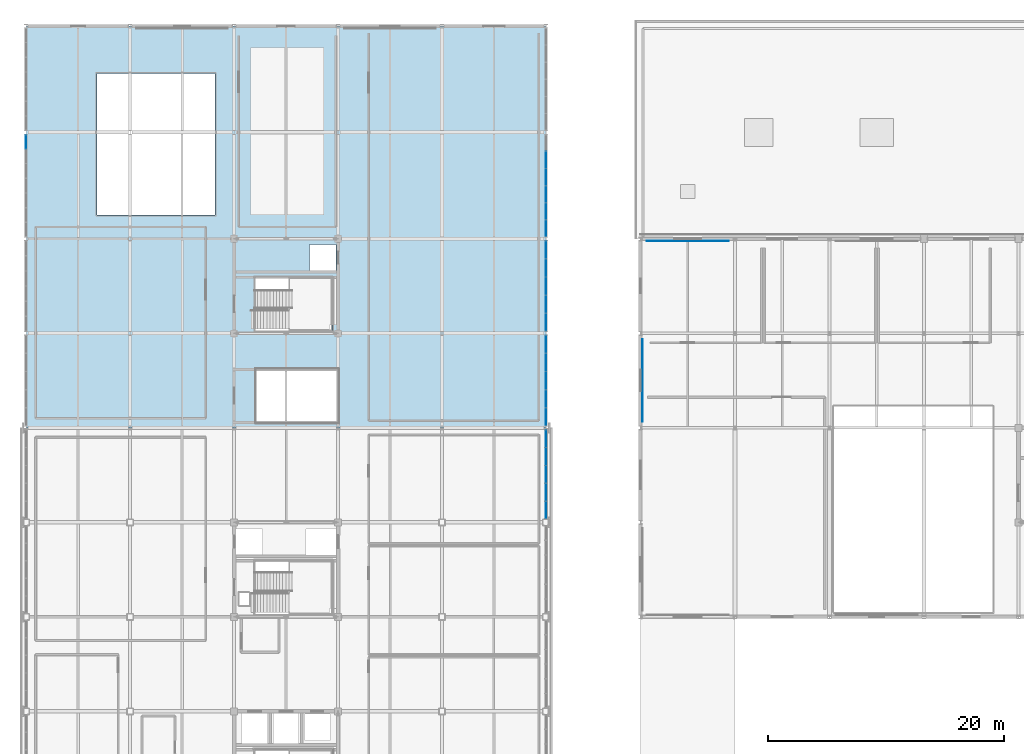
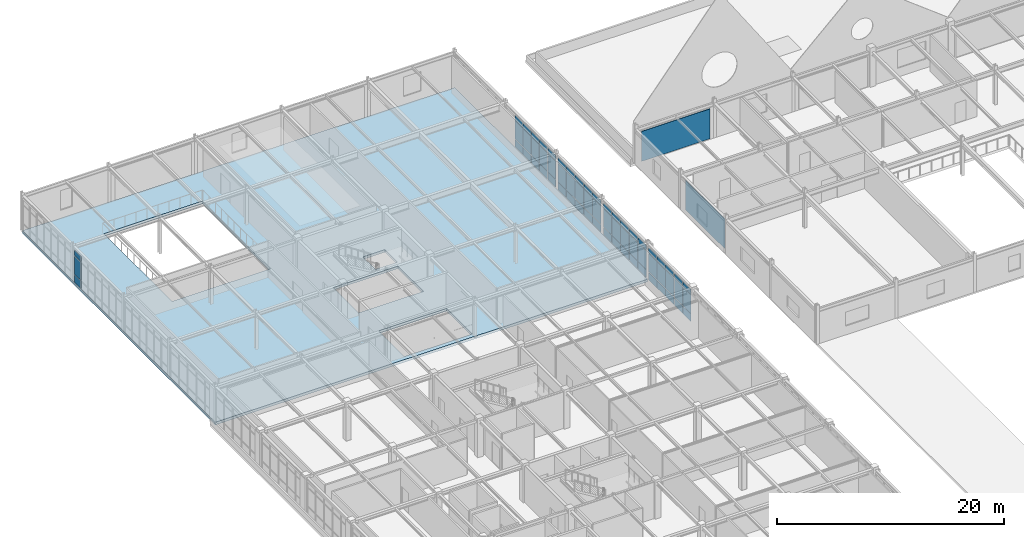
# One storey, part 44 of 88: 65 plates, 1 slab, 5 elements without a shape of their own.
"""IFC4 building model written with IfcOpenShell, lengths in metres."""

from ifc_helpers import new_model, si_unit, direction, frame, origin, origin_2d, place, context, subcontext, project, spatial, polyline, rectangle, outline, extrude, material, layer, layer_set, type_object, element, aggregate, save


model = new_model("IFC4")

# Units and contexts
model_context = context("Model", 3, precision=1e-05, world=origin(), true_north=direction((0.0, 1.0)))
body_context = subcontext(model_context, "Body", "Model", "MODEL_VIEW")
ifc_project = project(units=[si_unit("LENGTHUNIT", "METRE"), si_unit("AREAUNIT", "SQUARE_METRE"), si_unit("VOLUMEUNIT", "CUBIC_METRE"), si_unit("PLANEANGLEUNIT", "RADIAN"), si_unit("MASSUNIT", "GRAM", prefix="KILO")], contexts=[model_context])

# Site, building, storey
site_placement = place(None, origin())
site = spatial("IfcSite", under=ifc_project, at=site_placement, CompositionType="ELEMENT")
building_placement = place(site_placement, origin())
building = spatial("IfcBuilding", under=site, at=building_placement, Name="Zhaolan Boulevard Law Courts", CompositionType="ELEMENT")
storey_placement = place(building_placement, frame((0.0, 0.0, 16.199951171875)))
storey = spatial("IfcBuildingStorey", under=building, at=storey_placement, Name="L03", CompositionType="ELEMENT", Elevation=16.199951171875)

# Curtain wall, plates
ifc_material_1 = material(Name="Thermally broken aluminium and low-E glazing", Category="aluminium")
curtain_wall_type_1 = type_object("IfcCurtainWallType", Name="CURTAIN WALL M5", PredefinedType="USERDEFINED", material=ifc_material_1)
curtain_wall_1_placement = place(storey_placement, origin())
curtain_wall_1 = element("IfcCurtainWall", 1, at=curtain_wall_1_placement, inside=storey, type_object=curtain_wall_type_1, Name="Curtain Wall CW-L03-125", ObjectType="CURTAIN WALL", PredefinedType="USERDEFINED")
ifc_material_2 = material(Name="Triple-silver low-E insulated glazing", Category="glass")
ifc_layer_1 = layer(ifc_material_2, 0.028076171875)
ifc_layer_set_1 = layer_set([ifc_layer_1])
plate_type_1 = type_object("IfcPlateType", Name="CWPANEL LOW E28", PredefinedType="CURTAIN_PANEL", material=ifc_layer_set_1)
plate_1_placement = place(storey_placement, frame((0.0, 102.210693359375, 0.06494140625), z_axis=(0.0, 0.0, 1.0), x_axis=(0.0, -1.0, 0.0)))
plate_1 = element("IfcPlate", 2, at=plate_1_placement, type_object=plate_type_1, Name="CW-L03-125 panel 1.1", PredefinedType="CURTAIN_PANEL", context=body_context, shape_type="SweptSolid", body=[
    extrude(rectangle(XDim=1.144775390625, YDim=0.028076171875, at=origin_2d()), origin(), (0.0, 0.0, 1.0), 0.802490234375),
])
plate_2_placement = place(storey_placement, frame((0.0, 102.210693359375, 0.9326171875), z_axis=(0.0, 0.0, 1.0), x_axis=(0.0, -1.0, 0.0)))
plate_2 = element("IfcPlate", 3, at=plate_2_placement, type_object=plate_type_1, Name="CW-L03-125 panel 1.2", PredefinedType="CURTAIN_PANEL", context=body_context, shape_type="SweptSolid", body=[
    extrude(rectangle(XDim=1.144775390625, YDim=0.028076171875, at=origin_2d()), origin(), (0.0, 0.0, 1.0), 1.947998046875),
])
plate_3_placement = place(storey_placement, frame((0.0, 102.210693359375, 2.9453125), z_axis=(0.0, 0.0, 1.0), x_axis=(0.0, -1.0, 0.0)))
plate_3 = element("IfcPlate", 4, at=plate_3_placement, type_object=plate_type_1, Name="CW-L03-125 panel 1.3", PredefinedType="CURTAIN_PANEL", context=body_context, shape_type="SweptSolid", body=[
    extrude(rectangle(XDim=1.144775390625, YDim=0.028076171875, at=origin_2d()), origin(), (0.0, 0.0, 1.0), 0.552490234375),
])
aggregate(curtain_wall_1, [plate_1, plate_2, plate_3])

ifc_material_3 = material(Name="Thermally broken aluminium and low-E glazing", Category="aluminium")
curtain_wall_type_2 = type_object("IfcCurtainWallType", Name="CURTAIN WALL M7", PredefinedType="USERDEFINED", material=ifc_material_3)
curtain_wall_2_placement = place(storey_placement, origin())
curtain_wall_2 = element("IfcCurtainWall", 5, at=curtain_wall_2_placement, inside=storey, type_object=curtain_wall_type_2, Name="Curtain Wall CW-L03-127", ObjectType="CURTAIN WALL", PredefinedType="USERDEFINED")
plate_4_placement = place(storey_placement, frame((44.0, 78.937744140625, 0.06494140625), z_axis=(0.0, 0.0, 1.0), x_axis=(0.0, 1.0, 0.0)))
plate_4 = element("IfcPlate", 6, at=plate_4_placement, type_object=plate_type_1, Name="CW-L03-127 panel 1.1", PredefinedType="CURTAIN_PANEL", context=body_context, shape_type="SweptSolid", body=[
    extrude(rectangle(XDim=1.441650390625, YDim=0.028076171875, at=origin_2d()), origin(), (0.0, 0.0, 1.0), 0.802490234375),
])
plate_5_placement = place(storey_placement, frame((44.0, 78.937744140625, 0.9326171875), z_axis=(0.0, 0.0, 1.0), x_axis=(0.0, 1.0, 0.0)))
plate_5 = element("IfcPlate", 7, at=plate_5_placement, type_object=plate_type_1, Name="CW-L03-127 panel 1.2", PredefinedType="CURTAIN_PANEL", context=body_context, shape_type="SweptSolid", body=[
    extrude(rectangle(XDim=1.441650390625, YDim=0.028076171875, at=origin_2d()), origin(), (0.0, 0.0, 1.0), 1.947998046875),
])
plate_6_placement = place(storey_placement, frame((44.0, 78.937744140625, 2.9453125), z_axis=(0.0, 0.0, 1.0), x_axis=(0.0, 1.0, 0.0)))
plate_6 = element("IfcPlate", 8, at=plate_6_placement, type_object=plate_type_1, Name="CW-L03-127 panel 1.3", PredefinedType="CURTAIN_PANEL", context=body_context, shape_type="SweptSolid", body=[
    extrude(rectangle(XDim=1.441650390625, YDim=0.028076171875, at=origin_2d()), origin(), (0.0, 0.0, 1.0), 0.552490234375),
])
plate_7_placement = place(storey_placement, frame((44.0, 80.460693359375, 0.06494140625), z_axis=(0.0, 0.0, 1.0), x_axis=(0.0, 1.0, 0.0)))
plate_7 = element("IfcPlate", 9, at=plate_7_placement, type_object=plate_type_1, Name="CW-L03-127 panel 2.1", PredefinedType="CURTAIN_PANEL", context=body_context, shape_type="SweptSolid", body=[
    extrude(rectangle(XDim=1.47412109375, YDim=0.028076171875, at=origin_2d()), origin(), (0.0, 0.0, 1.0), 0.802490234375),
])
plate_8_placement = place(storey_placement, frame((44.0, 80.460693359375, 0.9326171875), z_axis=(0.0, 0.0, 1.0), x_axis=(0.0, 1.0, 0.0)))
plate_8 = element("IfcPlate", 10, at=plate_8_placement, type_object=plate_type_1, Name="CW-L03-127 panel 2.2", PredefinedType="CURTAIN_PANEL", context=body_context, shape_type="SweptSolid", body=[
    extrude(rectangle(XDim=1.47412109375, YDim=0.028076171875, at=origin_2d()), origin(), (0.0, 0.0, 1.0), 1.947998046875),
])
plate_9_placement = place(storey_placement, frame((44.0, 80.460693359375, 2.9453125), z_axis=(0.0, 0.0, 1.0), x_axis=(0.0, 1.0, 0.0)))
plate_9 = element("IfcPlate", 11, at=plate_9_placement, type_object=plate_type_1, Name="CW-L03-127 panel 2.3", PredefinedType="CURTAIN_PANEL", context=body_context, shape_type="SweptSolid", body=[
    extrude(rectangle(XDim=1.47412109375, YDim=0.028076171875, at=origin_2d()), origin(), (0.0, 0.0, 1.0), 0.552490234375),
])
plate_10_placement = place(storey_placement, frame((44.0, 82.0, 0.06494140625), z_axis=(0.0, 0.0, 1.0), x_axis=(0.0, 1.0, 0.0)))
plate_10 = element("IfcPlate", 12, at=plate_10_placement, type_object=plate_type_1, Name="CW-L03-127 panel 3.1", PredefinedType="CURTAIN_PANEL", context=body_context, shape_type="SweptSolid", body=[
    extrude(rectangle(XDim=1.47412109375, YDim=0.028076171875, at=origin_2d()), origin(), (0.0, 0.0, 1.0), 0.802490234375),
])
plate_11_placement = place(storey_placement, frame((44.0, 82.0, 0.9326171875), z_axis=(0.0, 0.0, 1.0), x_axis=(0.0, 1.0, 0.0)))
plate_11 = element("IfcPlate", 13, at=plate_11_placement, type_object=plate_type_1, Name="CW-L03-127 panel 3.2", PredefinedType="CURTAIN_PANEL", context=body_context, shape_type="SweptSolid", body=[
    extrude(rectangle(XDim=1.47412109375, YDim=0.028076171875, at=origin_2d()), origin(), (0.0, 0.0, 1.0), 1.947998046875),
])
plate_12_placement = place(storey_placement, frame((44.0, 82.0, 2.9453125), z_axis=(0.0, 0.0, 1.0), x_axis=(0.0, 1.0, 0.0)))
plate_12 = element("IfcPlate", 14, at=plate_12_placement, type_object=plate_type_1, Name="CW-L03-127 panel 3.3", PredefinedType="CURTAIN_PANEL", context=body_context, shape_type="SweptSolid", body=[
    extrude(rectangle(XDim=1.47412109375, YDim=0.028076171875, at=origin_2d()), origin(), (0.0, 0.0, 1.0), 0.552490234375),
])
plate_13_placement = place(storey_placement, frame((44.0, 83.539306640625, 0.06494140625), z_axis=(0.0, 0.0, 1.0), x_axis=(0.0, 1.0, 0.0)))
plate_13 = element("IfcPlate", 15, at=plate_13_placement, type_object=plate_type_1, Name="CW-L03-127 panel 4.1", PredefinedType="CURTAIN_PANEL", context=body_context, shape_type="SweptSolid", body=[
    extrude(rectangle(XDim=1.47412109375, YDim=0.028076171875, at=origin_2d()), origin(), (0.0, 0.0, 1.0), 0.802490234375),
])
plate_14_placement = place(storey_placement, frame((44.0, 83.539306640625, 0.9326171875), z_axis=(0.0, 0.0, 1.0), x_axis=(0.0, 1.0, 0.0)))
plate_14 = element("IfcPlate", 16, at=plate_14_placement, type_object=plate_type_1, Name="CW-L03-127 panel 4.2", PredefinedType="CURTAIN_PANEL", context=body_context, shape_type="SweptSolid", body=[
    extrude(rectangle(XDim=1.47412109375, YDim=0.028076171875, at=origin_2d()), origin(), (0.0, 0.0, 1.0), 1.947998046875),
])
plate_15_placement = place(storey_placement, frame((44.0, 83.539306640625, 2.9453125), z_axis=(0.0, 0.0, 1.0), x_axis=(0.0, 1.0, 0.0)))
plate_15 = element("IfcPlate", 17, at=plate_15_placement, type_object=plate_type_1, Name="CW-L03-127 panel 4.3", PredefinedType="CURTAIN_PANEL", context=body_context, shape_type="SweptSolid", body=[
    extrude(rectangle(XDim=1.47412109375, YDim=0.028076171875, at=origin_2d()), origin(), (0.0, 0.0, 1.0), 0.552490234375),
])
plate_16_placement = place(storey_placement, frame((44.0, 85.062255859375, 0.06494140625), z_axis=(0.0, 0.0, 1.0), x_axis=(0.0, 1.0, 0.0)))
plate_16 = element("IfcPlate", 18, at=plate_16_placement, type_object=plate_type_1, Name="CW-L03-127 panel 5.1", PredefinedType="CURTAIN_PANEL", context=body_context, shape_type="SweptSolid", body=[
    extrude(rectangle(XDim=1.441650390625, YDim=0.028076171875, at=origin_2d()), origin(), (0.0, 0.0, 1.0), 0.802490234375),
])
plate_17_placement = place(storey_placement, frame((44.0, 85.062255859375, 0.9326171875), z_axis=(0.0, 0.0, 1.0), x_axis=(0.0, 1.0, 0.0)))
plate_17 = element("IfcPlate", 19, at=plate_17_placement, type_object=plate_type_1, Name="CW-L03-127 panel 5.2", PredefinedType="CURTAIN_PANEL", context=body_context, shape_type="SweptSolid", body=[
    extrude(rectangle(XDim=1.441650390625, YDim=0.028076171875, at=origin_2d()), origin(), (0.0, 0.0, 1.0), 1.947998046875),
])
plate_18_placement = place(storey_placement, frame((44.0, 85.062255859375, 2.9453125), z_axis=(0.0, 0.0, 1.0), x_axis=(0.0, 1.0, 0.0)))
plate_18 = element("IfcPlate", 20, at=plate_18_placement, type_object=plate_type_1, Name="CW-L03-127 panel 5.3", PredefinedType="CURTAIN_PANEL", context=body_context, shape_type="SweptSolid", body=[
    extrude(rectangle(XDim=1.441650390625, YDim=0.028076171875, at=origin_2d()), origin(), (0.0, 0.0, 1.0), 0.552490234375),
])
aggregate(curtain_wall_2, [plate_4, plate_5, plate_6, plate_7, plate_8, plate_9, plate_10, plate_11, plate_12, plate_13, plate_14, plate_15, plate_16, plate_17, plate_18])

ifc_material_4 = material(Name="Thermally broken aluminium and low-E glazing", Category="aluminium")
curtain_wall_type_3 = type_object("IfcCurtainWallType", Name="CURTAIN WALL M8", PredefinedType="USERDEFINED", material=ifc_material_4)
curtain_wall_3_placement = place(storey_placement, origin())
curtain_wall_3 = element("IfcCurtainWall", 21, at=curtain_wall_3_placement, inside=storey, type_object=curtain_wall_type_3, Name="Curtain Wall CW-L03-128", ObjectType="CURTAIN WALL", PredefinedType="USERDEFINED")
plate_19_placement = place(storey_placement, frame((44.0, 86.937744140625, 0.06494140625), z_axis=(0.0, 0.0, 1.0), x_axis=(0.0, 1.0, 0.0)))
plate_19 = element("IfcPlate", 22, at=plate_19_placement, type_object=plate_type_1, Name="CW-L03-128 panel 1.1", PredefinedType="CURTAIN_PANEL", context=body_context, shape_type="SweptSolid", body=[
    extrude(rectangle(XDim=1.441650390625, YDim=0.028076171875, at=origin_2d()), origin(), (0.0, 0.0, 1.0), 0.802490234375),
])
plate_20_placement = place(storey_placement, frame((44.0, 86.937744140625, 0.9326171875), z_axis=(0.0, 0.0, 1.0), x_axis=(0.0, 1.0, 0.0)))
plate_20 = element("IfcPlate", 23, at=plate_20_placement, type_object=plate_type_1, Name="CW-L03-128 panel 1.2", PredefinedType="CURTAIN_PANEL", context=body_context, shape_type="SweptSolid", body=[
    extrude(rectangle(XDim=1.441650390625, YDim=0.028076171875, at=origin_2d()), origin(), (0.0, 0.0, 1.0), 1.947998046875),
])
plate_21_placement = place(storey_placement, frame((44.0, 86.937744140625, 2.9453125), z_axis=(0.0, 0.0, 1.0), x_axis=(0.0, 1.0, 0.0)))
plate_21 = element("IfcPlate", 24, at=plate_21_placement, type_object=plate_type_1, Name="CW-L03-128 panel 1.3", PredefinedType="CURTAIN_PANEL", context=body_context, shape_type="SweptSolid", body=[
    extrude(rectangle(XDim=1.441650390625, YDim=0.028076171875, at=origin_2d()), origin(), (0.0, 0.0, 1.0), 0.552490234375),
])
plate_22_placement = place(storey_placement, frame((44.0, 88.460693359375, 0.06494140625), z_axis=(0.0, 0.0, 1.0), x_axis=(0.0, 1.0, 0.0)))
plate_22 = element("IfcPlate", 25, at=plate_22_placement, type_object=plate_type_1, Name="CW-L03-128 panel 2.1", PredefinedType="CURTAIN_PANEL", context=body_context, shape_type="SweptSolid", body=[
    extrude(rectangle(XDim=1.47412109375, YDim=0.028076171875, at=origin_2d()), origin(), (0.0, 0.0, 1.0), 0.802490234375),
])
plate_23_placement = place(storey_placement, frame((44.0, 88.460693359375, 0.9326171875), z_axis=(0.0, 0.0, 1.0), x_axis=(0.0, 1.0, 0.0)))
plate_23 = element("IfcPlate", 26, at=plate_23_placement, type_object=plate_type_1, Name="CW-L03-128 panel 2.2", PredefinedType="CURTAIN_PANEL", context=body_context, shape_type="SweptSolid", body=[
    extrude(rectangle(XDim=1.47412109375, YDim=0.028076171875, at=origin_2d()), origin(), (0.0, 0.0, 1.0), 1.947998046875),
])
plate_24_placement = place(storey_placement, frame((44.0, 88.460693359375, 2.9453125), z_axis=(0.0, 0.0, 1.0), x_axis=(0.0, 1.0, 0.0)))
plate_24 = element("IfcPlate", 27, at=plate_24_placement, type_object=plate_type_1, Name="CW-L03-128 panel 2.3", PredefinedType="CURTAIN_PANEL", context=body_context, shape_type="SweptSolid", body=[
    extrude(rectangle(XDim=1.47412109375, YDim=0.028076171875, at=origin_2d()), origin(), (0.0, 0.0, 1.0), 0.552490234375),
])
plate_25_placement = place(storey_placement, frame((44.0, 90.0, 0.06494140625), z_axis=(0.0, 0.0, 1.0), x_axis=(0.0, 1.0, 0.0)))
plate_25 = element("IfcPlate", 28, at=plate_25_placement, type_object=plate_type_1, Name="CW-L03-128 panel 3.1", PredefinedType="CURTAIN_PANEL", context=body_context, shape_type="SweptSolid", body=[
    extrude(rectangle(XDim=1.47412109375, YDim=0.028076171875, at=origin_2d()), origin(), (0.0, 0.0, 1.0), 0.802490234375),
])
plate_26_placement = place(storey_placement, frame((44.0, 90.0, 0.9326171875), z_axis=(0.0, 0.0, 1.0), x_axis=(0.0, 1.0, 0.0)))
plate_26 = element("IfcPlate", 29, at=plate_26_placement, type_object=plate_type_1, Name="CW-L03-128 panel 3.2", PredefinedType="CURTAIN_PANEL", context=body_context, shape_type="SweptSolid", body=[
    extrude(rectangle(XDim=1.47412109375, YDim=0.028076171875, at=origin_2d()), origin(), (0.0, 0.0, 1.0), 1.947998046875),
])
plate_27_placement = place(storey_placement, frame((44.0, 90.0, 2.9453125), z_axis=(0.0, 0.0, 1.0), x_axis=(0.0, 1.0, 0.0)))
plate_27 = element("IfcPlate", 30, at=plate_27_placement, type_object=plate_type_1, Name="CW-L03-128 panel 3.3", PredefinedType="CURTAIN_PANEL", context=body_context, shape_type="SweptSolid", body=[
    extrude(rectangle(XDim=1.47412109375, YDim=0.028076171875, at=origin_2d()), origin(), (0.0, 0.0, 1.0), 0.552490234375),
])
plate_28_placement = place(storey_placement, frame((44.0, 91.539306640625, 0.06494140625), z_axis=(0.0, 0.0, 1.0), x_axis=(0.0, 1.0, 0.0)))
plate_28 = element("IfcPlate", 31, at=plate_28_placement, type_object=plate_type_1, Name="CW-L03-128 panel 4.1", PredefinedType="CURTAIN_PANEL", context=body_context, shape_type="SweptSolid", body=[
    extrude(rectangle(XDim=1.47412109375, YDim=0.028076171875, at=origin_2d()), origin(), (0.0, 0.0, 1.0), 0.802490234375),
])
plate_29_placement = place(storey_placement, frame((44.0, 91.539306640625, 0.9326171875), z_axis=(0.0, 0.0, 1.0), x_axis=(0.0, 1.0, 0.0)))
plate_29 = element("IfcPlate", 32, at=plate_29_placement, type_object=plate_type_1, Name="CW-L03-128 panel 4.2", PredefinedType="CURTAIN_PANEL", context=body_context, shape_type="SweptSolid", body=[
    extrude(rectangle(XDim=1.47412109375, YDim=0.028076171875, at=origin_2d()), origin(), (0.0, 0.0, 1.0), 1.947998046875),
])
plate_30_placement = place(storey_placement, frame((44.0, 91.539306640625, 2.9453125), z_axis=(0.0, 0.0, 1.0), x_axis=(0.0, 1.0, 0.0)))
plate_30 = element("IfcPlate", 33, at=plate_30_placement, type_object=plate_type_1, Name="CW-L03-128 panel 4.3", PredefinedType="CURTAIN_PANEL", context=body_context, shape_type="SweptSolid", body=[
    extrude(rectangle(XDim=1.47412109375, YDim=0.028076171875, at=origin_2d()), origin(), (0.0, 0.0, 1.0), 0.552490234375),
])
plate_31_placement = place(storey_placement, frame((44.0, 93.062255859375, 0.06494140625), z_axis=(0.0, 0.0, 1.0), x_axis=(0.0, 1.0, 0.0)))
plate_31 = element("IfcPlate", 34, at=plate_31_placement, type_object=plate_type_1, Name="CW-L03-128 panel 5.1", PredefinedType="CURTAIN_PANEL", context=body_context, shape_type="SweptSolid", body=[
    extrude(rectangle(XDim=1.441650390625, YDim=0.028076171875, at=origin_2d()), origin(), (0.0, 0.0, 1.0), 0.802490234375),
])
plate_32_placement = place(storey_placement, frame((44.0, 93.062255859375, 0.9326171875), z_axis=(0.0, 0.0, 1.0), x_axis=(0.0, 1.0, 0.0)))
plate_32 = element("IfcPlate", 35, at=plate_32_placement, type_object=plate_type_1, Name="CW-L03-128 panel 5.2", PredefinedType="CURTAIN_PANEL", context=body_context, shape_type="SweptSolid", body=[
    extrude(rectangle(XDim=1.441650390625, YDim=0.028076171875, at=origin_2d()), origin(), (0.0, 0.0, 1.0), 1.947998046875),
])
plate_33_placement = place(storey_placement, frame((44.0, 93.062255859375, 2.9453125), z_axis=(0.0, 0.0, 1.0), x_axis=(0.0, 1.0, 0.0)))
plate_33 = element("IfcPlate", 36, at=plate_33_placement, type_object=plate_type_1, Name="CW-L03-128 panel 5.3", PredefinedType="CURTAIN_PANEL", context=body_context, shape_type="SweptSolid", body=[
    extrude(rectangle(XDim=1.441650390625, YDim=0.028076171875, at=origin_2d()), origin(), (0.0, 0.0, 1.0), 0.552490234375),
])
aggregate(curtain_wall_3, [plate_19, plate_20, plate_21, plate_22, plate_23, plate_24, plate_25, plate_26, plate_27, plate_28, plate_29, plate_30, plate_31, plate_32, plate_33])

ifc_material_5 = material(Name="Thermally broken aluminium and low-E glazing", Category="aluminium")
curtain_wall_type_4 = type_object("IfcCurtainWallType", Name="CURTAIN WALL M9", PredefinedType="USERDEFINED", material=ifc_material_5)
curtain_wall_4_placement = place(storey_placement, origin())
curtain_wall_4 = element("IfcCurtainWall", 37, at=curtain_wall_4_placement, inside=storey, type_object=curtain_wall_type_4, Name="Curtain Wall CW-L03-129", ObjectType="CURTAIN WALL", PredefinedType="USERDEFINED")
plate_34_placement = place(storey_placement, frame((44.0, 94.892822265625, 0.06494140625), z_axis=(0.0, 0.0, 1.0), x_axis=(0.0, 1.0, 0.0)))
plate_34 = element("IfcPlate", 38, at=plate_34_placement, type_object=plate_type_1, Name="CW-L03-129 panel 1.1", PredefinedType="CURTAIN_PANEL", context=body_context, shape_type="SweptSolid", body=[
    extrude(rectangle(XDim=1.351806640625, YDim=0.028076171875, at=origin_2d()), origin(), (0.0, 0.0, 1.0), 0.802490234375),
])
plate_35_placement = place(storey_placement, frame((44.0, 94.892822265625, 0.9326171875), z_axis=(0.0, 0.0, 1.0), x_axis=(0.0, 1.0, 0.0)))
plate_35 = element("IfcPlate", 39, at=plate_35_placement, type_object=plate_type_1, Name="CW-L03-129 panel 1.2", PredefinedType="CURTAIN_PANEL", context=body_context, shape_type="SweptSolid", body=[
    extrude(rectangle(XDim=1.351806640625, YDim=0.028076171875, at=origin_2d()), origin(), (0.0, 0.0, 1.0), 1.947998046875),
])
plate_36_placement = place(storey_placement, frame((44.0, 94.892822265625, 2.9453125), z_axis=(0.0, 0.0, 1.0), x_axis=(0.0, 1.0, 0.0)))
plate_36 = element("IfcPlate", 40, at=plate_36_placement, type_object=plate_type_1, Name="CW-L03-129 panel 1.3", PredefinedType="CURTAIN_PANEL", context=body_context, shape_type="SweptSolid", body=[
    extrude(rectangle(XDim=1.351806640625, YDim=0.028076171875, at=origin_2d()), origin(), (0.0, 0.0, 1.0), 0.552490234375),
])
plate_37_placement = place(storey_placement, frame((44.0, 96.325927734375, 0.06494140625), z_axis=(0.0, 0.0, 1.0), x_axis=(0.0, 1.0, 0.0)))
plate_37 = element("IfcPlate", 41, at=plate_37_placement, type_object=plate_type_1, Name="CW-L03-129 panel 2.1", PredefinedType="CURTAIN_PANEL", context=body_context, shape_type="SweptSolid", body=[
    extrude(rectangle(XDim=1.38427734375, YDim=0.028076171875, at=origin_2d()), origin(), (0.0, 0.0, 1.0), 0.802490234375),
])
plate_38_placement = place(storey_placement, frame((44.0, 96.325927734375, 0.9326171875), z_axis=(0.0, 0.0, 1.0), x_axis=(0.0, 1.0, 0.0)))
plate_38 = element("IfcPlate", 42, at=plate_38_placement, type_object=plate_type_1, Name="CW-L03-129 panel 2.2", PredefinedType="CURTAIN_PANEL", context=body_context, shape_type="SweptSolid", body=[
    extrude(rectangle(XDim=1.38427734375, YDim=0.028076171875, at=origin_2d()), origin(), (0.0, 0.0, 1.0), 1.947998046875),
])
plate_39_placement = place(storey_placement, frame((44.0, 96.325927734375, 2.9453125), z_axis=(0.0, 0.0, 1.0), x_axis=(0.0, 1.0, 0.0)))
plate_39 = element("IfcPlate", 43, at=plate_39_placement, type_object=plate_type_1, Name="CW-L03-129 panel 2.3", PredefinedType="CURTAIN_PANEL", context=body_context, shape_type="SweptSolid", body=[
    extrude(rectangle(XDim=1.38427734375, YDim=0.028076171875, at=origin_2d()), origin(), (0.0, 0.0, 1.0), 0.552490234375),
])
plate_40_placement = place(storey_placement, frame((44.0, 97.775390625, 0.06494140625), z_axis=(0.0, 0.0, 1.0), x_axis=(0.0, 1.0, 0.0)))
plate_40 = element("IfcPlate", 44, at=plate_40_placement, type_object=plate_type_1, Name="CW-L03-129 panel 3.1", PredefinedType="CURTAIN_PANEL", context=body_context, shape_type="SweptSolid", body=[
    extrude(rectangle(XDim=1.38427734375, YDim=0.028076171875, at=origin_2d()), origin(), (0.0, 0.0, 1.0), 0.802490234375),
])
plate_41_placement = place(storey_placement, frame((44.0, 97.775390625, 0.9326171875), z_axis=(0.0, 0.0, 1.0), x_axis=(0.0, 1.0, 0.0)))
plate_41 = element("IfcPlate", 45, at=plate_41_placement, type_object=plate_type_1, Name="CW-L03-129 panel 3.2", PredefinedType="CURTAIN_PANEL", context=body_context, shape_type="SweptSolid", body=[
    extrude(rectangle(XDim=1.38427734375, YDim=0.028076171875, at=origin_2d()), origin(), (0.0, 0.0, 1.0), 1.947998046875),
])
plate_42_placement = place(storey_placement, frame((44.0, 97.775390625, 2.9453125), z_axis=(0.0, 0.0, 1.0), x_axis=(0.0, 1.0, 0.0)))
plate_42 = element("IfcPlate", 46, at=plate_42_placement, type_object=plate_type_1, Name="CW-L03-129 panel 3.3", PredefinedType="CURTAIN_PANEL", context=body_context, shape_type="SweptSolid", body=[
    extrude(rectangle(XDim=1.38427734375, YDim=0.028076171875, at=origin_2d()), origin(), (0.0, 0.0, 1.0), 0.552490234375),
])
plate_43_placement = place(storey_placement, frame((44.0, 99.224609375, 0.06494140625), z_axis=(0.0, 0.0, 1.0), x_axis=(0.0, 1.0, 0.0)))
plate_43 = element("IfcPlate", 47, at=plate_43_placement, type_object=plate_type_1, Name="CW-L03-129 panel 4.1", PredefinedType="CURTAIN_PANEL", context=body_context, shape_type="SweptSolid", body=[
    extrude(rectangle(XDim=1.38427734375, YDim=0.028076171875, at=origin_2d()), origin(), (0.0, 0.0, 1.0), 0.802490234375),
])
plate_44_placement = place(storey_placement, frame((44.0, 99.224609375, 0.9326171875), z_axis=(0.0, 0.0, 1.0), x_axis=(0.0, 1.0, 0.0)))
plate_44 = element("IfcPlate", 48, at=plate_44_placement, type_object=plate_type_1, Name="CW-L03-129 panel 4.2", PredefinedType="CURTAIN_PANEL", context=body_context, shape_type="SweptSolid", body=[
    extrude(rectangle(XDim=1.38427734375, YDim=0.028076171875, at=origin_2d()), origin(), (0.0, 0.0, 1.0), 1.947998046875),
])
plate_45_placement = place(storey_placement, frame((44.0, 99.224609375, 2.9453125), z_axis=(0.0, 0.0, 1.0), x_axis=(0.0, 1.0, 0.0)))
plate_45 = element("IfcPlate", 49, at=plate_45_placement, type_object=plate_type_1, Name="CW-L03-129 panel 4.3", PredefinedType="CURTAIN_PANEL", context=body_context, shape_type="SweptSolid", body=[
    extrude(rectangle(XDim=1.38427734375, YDim=0.028076171875, at=origin_2d()), origin(), (0.0, 0.0, 1.0), 0.552490234375),
])
plate_46_placement = place(storey_placement, frame((44.0, 100.674072265625, 0.06494140625), z_axis=(0.0, 0.0, 1.0), x_axis=(0.0, 1.0, 0.0)))
plate_46 = element("IfcPlate", 50, at=plate_46_placement, type_object=plate_type_1, Name="CW-L03-129 panel 5.1", PredefinedType="CURTAIN_PANEL", context=body_context, shape_type="SweptSolid", body=[
    extrude(rectangle(XDim=1.38427734375, YDim=0.028076171875, at=origin_2d()), origin(), (0.0, 0.0, 1.0), 0.802490234375),
])
plate_47_placement = place(storey_placement, frame((44.0, 100.674072265625, 0.9326171875), z_axis=(0.0, 0.0, 1.0), x_axis=(0.0, 1.0, 0.0)))
plate_47 = element("IfcPlate", 51, at=plate_47_placement, type_object=plate_type_1, Name="CW-L03-129 panel 5.2", PredefinedType="CURTAIN_PANEL", context=body_context, shape_type="SweptSolid", body=[
    extrude(rectangle(XDim=1.38427734375, YDim=0.028076171875, at=origin_2d()), origin(), (0.0, 0.0, 1.0), 1.947998046875),
])
plate_48_placement = place(storey_placement, frame((44.0, 100.674072265625, 2.9453125), z_axis=(0.0, 0.0, 1.0), x_axis=(0.0, 1.0, 0.0)))
plate_48 = element("IfcPlate", 52, at=plate_48_placement, type_object=plate_type_1, Name="CW-L03-129 panel 5.3", PredefinedType="CURTAIN_PANEL", context=body_context, shape_type="SweptSolid", body=[
    extrude(rectangle(XDim=1.38427734375, YDim=0.028076171875, at=origin_2d()), origin(), (0.0, 0.0, 1.0), 0.552490234375),
])
aggregate(curtain_wall_4, [plate_34, plate_35, plate_36, plate_37, plate_38, plate_39, plate_40, plate_41, plate_42, plate_43, plate_44, plate_45, plate_46, plate_47, plate_48])

ifc_material_6 = material(Name="Thermally broken aluminium and low-E glazing", Category="aluminium")
curtain_wall_type_5 = type_object("IfcCurtainWallType", Name="CURTAIN WALL M16", PredefinedType="USERDEFINED", material=ifc_material_6)
curtain_wall_5_placement = place(storey_placement, origin())
curtain_wall_5 = element("IfcCurtainWall", 53, at=curtain_wall_5_placement, inside=storey, type_object=curtain_wall_type_5, Name="Curtain Wall CW-L03-184", ObjectType="CURTAIN WALL", PredefinedType="USERDEFINED")
plate_49_placement = place(storey_placement, frame((44.0, 71.05029296875, 0.06494140625), z_axis=(0.0, 0.0, 1.0), x_axis=(0.0, 1.0, 0.0)))
plate_49 = element("IfcPlate", 54, at=plate_49_placement, type_object=plate_type_1, Name="CW-L03-184 panel 1.1", PredefinedType="CURTAIN_PANEL", context=body_context, shape_type="SweptSolid", body=[
    extrude(rectangle(XDim=1.416748046875, YDim=0.028076171875, at=origin_2d()), origin(), (0.0, 0.0, 1.0), 0.802490234375),
])
plate_50_placement = place(storey_placement, frame((44.0, 71.05029296875, 0.9326171875), z_axis=(0.0, 0.0, 1.0), x_axis=(0.0, 1.0, 0.0)))
plate_50 = element("IfcPlate", 55, at=plate_50_placement, type_object=plate_type_1, Name="CW-L03-184 panel 1.2", PredefinedType="CURTAIN_PANEL", context=body_context, shape_type="SweptSolid", body=[
    extrude(rectangle(XDim=1.416748046875, YDim=0.028076171875, at=origin_2d()), origin(), (0.0, 0.0, 1.0), 1.97802734375),
])
plate_51_placement = place(storey_placement, frame((44.0, 71.05029296875, 2.9755859375), z_axis=(0.0, 0.0, 1.0), x_axis=(0.0, 1.0, 0.0)))
plate_51 = element("IfcPlate", 56, at=plate_51_placement, type_object=plate_type_1, Name="CW-L03-184 panel 1.3", PredefinedType="CURTAIN_PANEL", context=body_context, shape_type="SweptSolid", body=[
    extrude(rectangle(XDim=1.416748046875, YDim=0.028076171875, at=origin_2d()), origin(), (0.0, 0.0, 1.0), 0.552490234375),
])
plate_52_placement = place(storey_placement, frame((44.0, 72.54833984375, 0.06494140625), z_axis=(0.0, 0.0, 1.0), x_axis=(0.0, 1.0, 0.0)))
plate_52 = element("IfcPlate", 57, at=plate_52_placement, type_object=plate_type_1, Name="CW-L03-184 panel 2.1", PredefinedType="CURTAIN_PANEL", context=body_context, shape_type="SweptSolid", body=[
    extrude(rectangle(XDim=1.44921875, YDim=0.028076171875, at=origin_2d()), origin(), (0.0, 0.0, 1.0), 0.802490234375),
])
plate_53_placement = place(storey_placement, frame((44.0, 72.54833984375, 0.9326171875), z_axis=(0.0, 0.0, 1.0), x_axis=(0.0, 1.0, 0.0)))
plate_53 = element("IfcPlate", 58, at=plate_53_placement, type_object=plate_type_1, Name="CW-L03-184 panel 2.2", PredefinedType="CURTAIN_PANEL", context=body_context, shape_type="SweptSolid", body=[
    extrude(rectangle(XDim=1.44921875, YDim=0.028076171875, at=origin_2d()), origin(), (0.0, 0.0, 1.0), 1.97802734375),
])
plate_54_placement = place(storey_placement, frame((44.0, 72.54833984375, 2.9755859375), z_axis=(0.0, 0.0, 1.0), x_axis=(0.0, 1.0, 0.0)))
plate_54 = element("IfcPlate", 59, at=plate_54_placement, type_object=plate_type_1, Name="CW-L03-184 panel 2.3", PredefinedType="CURTAIN_PANEL", context=body_context, shape_type="SweptSolid", body=[
    extrude(rectangle(XDim=1.44921875, YDim=0.028076171875, at=origin_2d()), origin(), (0.0, 0.0, 1.0), 0.552490234375),
])
plate_55_placement = place(storey_placement, frame((44.0, 74.0625, 0.06494140625), z_axis=(0.0, 0.0, 1.0), x_axis=(0.0, 1.0, 0.0)))
plate_55 = element("IfcPlate", 60, at=plate_55_placement, type_object=plate_type_1, Name="CW-L03-184 panel 3.1", PredefinedType="CURTAIN_PANEL", context=body_context, shape_type="SweptSolid", body=[
    extrude(rectangle(XDim=1.44921875, YDim=0.028076171875, at=origin_2d()), origin(), (0.0, 0.0, 1.0), 0.802490234375),
])
plate_56_placement = place(storey_placement, frame((44.0, 74.0625, 0.9326171875), z_axis=(0.0, 0.0, 1.0), x_axis=(0.0, 1.0, 0.0)))
plate_56 = element("IfcPlate", 61, at=plate_56_placement, type_object=plate_type_1, Name="CW-L03-184 panel 3.2", PredefinedType="CURTAIN_PANEL", context=body_context, shape_type="SweptSolid", body=[
    extrude(rectangle(XDim=1.44921875, YDim=0.028076171875, at=origin_2d()), origin(), (0.0, 0.0, 1.0), 1.97802734375),
])
plate_57_placement = place(storey_placement, frame((44.0, 74.0625, 2.9755859375), z_axis=(0.0, 0.0, 1.0), x_axis=(0.0, 1.0, 0.0)))
plate_57 = element("IfcPlate", 62, at=plate_57_placement, type_object=plate_type_1, Name="CW-L03-184 panel 3.3", PredefinedType="CURTAIN_PANEL", context=body_context, shape_type="SweptSolid", body=[
    extrude(rectangle(XDim=1.44921875, YDim=0.028076171875, at=origin_2d()), origin(), (0.0, 0.0, 1.0), 0.552490234375),
])
plate_58_placement = place(storey_placement, frame((44.0, 75.57666015625, 0.06494140625), z_axis=(0.0, 0.0, 1.0), x_axis=(0.0, 1.0, 0.0)))
plate_58 = element("IfcPlate", 63, at=plate_58_placement, type_object=plate_type_1, Name="CW-L03-184 panel 4.1", PredefinedType="CURTAIN_PANEL", context=body_context, shape_type="SweptSolid", body=[
    extrude(rectangle(XDim=1.44921875, YDim=0.028076171875, at=origin_2d()), origin(), (0.0, 0.0, 1.0), 0.802490234375),
])
plate_59_placement = place(storey_placement, frame((44.0, 75.57666015625, 0.9326171875), z_axis=(0.0, 0.0, 1.0), x_axis=(0.0, 1.0, 0.0)))
plate_59 = element("IfcPlate", 64, at=plate_59_placement, type_object=plate_type_1, Name="CW-L03-184 panel 4.2", PredefinedType="CURTAIN_PANEL", context=body_context, shape_type="SweptSolid", body=[
    extrude(rectangle(XDim=1.44921875, YDim=0.028076171875, at=origin_2d()), origin(), (0.0, 0.0, 1.0), 1.97802734375),
])
plate_60_placement = place(storey_placement, frame((44.0, 75.57666015625, 2.9755859375), z_axis=(0.0, 0.0, 1.0), x_axis=(0.0, 1.0, 0.0)))
plate_60 = element("IfcPlate", 65, at=plate_60_placement, type_object=plate_type_1, Name="CW-L03-184 panel 4.3", PredefinedType="CURTAIN_PANEL", context=body_context, shape_type="SweptSolid", body=[
    extrude(rectangle(XDim=1.44921875, YDim=0.028076171875, at=origin_2d()), origin(), (0.0, 0.0, 1.0), 0.552490234375),
])
plate_61_placement = place(storey_placement, frame((44.0, 77.07470703125, 0.06494140625), z_axis=(0.0, 0.0, 1.0), x_axis=(0.0, 1.0, 0.0)))
plate_61 = element("IfcPlate", 66, at=plate_61_placement, type_object=plate_type_1, Name="CW-L03-184 panel 5.1", PredefinedType="CURTAIN_PANEL", context=body_context, shape_type="SweptSolid", body=[
    extrude(rectangle(XDim=1.416748046875, YDim=0.028076171875, at=origin_2d()), origin(), (0.0, 0.0, 1.0), 0.802490234375),
])
plate_62_placement = place(storey_placement, frame((44.0, 77.07470703125, 0.9326171875), z_axis=(0.0, 0.0, 1.0), x_axis=(0.0, 1.0, 0.0)))
plate_62 = element("IfcPlate", 67, at=plate_62_placement, type_object=plate_type_1, Name="CW-L03-184 panel 5.2", PredefinedType="CURTAIN_PANEL", context=body_context, shape_type="SweptSolid", body=[
    extrude(rectangle(XDim=1.416748046875, YDim=0.028076171875, at=origin_2d()), origin(), (0.0, 0.0, 1.0), 1.97802734375),
])
plate_63_placement = place(storey_placement, frame((44.0, 77.07470703125, 2.9755859375), z_axis=(0.0, 0.0, 1.0), x_axis=(0.0, 1.0, 0.0)))
plate_63 = element("IfcPlate", 68, at=plate_63_placement, type_object=plate_type_1, Name="CW-L03-184 panel 5.3", PredefinedType="CURTAIN_PANEL", context=body_context, shape_type="SweptSolid", body=[
    extrude(rectangle(XDim=1.416748046875, YDim=0.028076171875, at=origin_2d()), origin(), (0.0, 0.0, 1.0), 0.552490234375),
])
aggregate(curtain_wall_5, [plate_49, plate_50, plate_51, plate_52, plate_53, plate_54, plate_55, plate_56, plate_57, plate_58, plate_59, plate_60, plate_61, plate_62, plate_63])

# Slab
ifc_material_7 = material(Name="Concrete C40", Category="concrete")
ifc_layer_2 = layer(ifc_material_7, 0.280029296875)
ifc_layer_set_2 = layer_set([ifc_layer_2])
slab_type = type_object("IfcSlabType", Name="FLOOR SLAB 280", PredefinedType="FLOOR", material=ifc_layer_set_2)
slab_placement = place(storey_placement, frame((0.0, 0.0, -0.280029296875)))
element("IfcSlab", 69, at=slab_placement, inside=storey, type_object=slab_type, Name="Slab SLB-L03-V3", PredefinedType="FLOOR", context=body_context, shape_type="SweptSolid", body=[
    extrude(outline(polyline([(0.0, 78.0), (44.0, 78.0), (44.0, 112.0), (0.0, 112.0), (0.0, 78.0)]), holes=[polyline([(23.97509765625, 91.300048828125), (26.22509765625, 91.300048828125), (26.22509765625, 93.5), (23.97509765625, 93.5), (23.97509765625, 91.300048828125)]), polyline([(19.35009765625, 86.25), (25.949951171875, 86.25), (25.949951171875, 90.75), (19.35009765625, 90.75), (19.35009765625, 86.25)]), polyline([(19.5, 78.449951171875), (26.39990234375, 78.449951171875), (26.39990234375, 82.949951171875), (19.5, 82.949951171875), (19.5, 78.449951171875)]), polyline([(6.0, 96.0), (16.0, 96.0), (16.0, 108.0), (6.0, 108.0), (6.0, 96.0)])]), origin(), (0.0, 0.0, 1.0), 0.280029296875),
])

# Plates
ifc_material_8 = material(Name="Pale mist-grey standing-seam Al-Mg-Mn zinc-titanium")
ifc_layer_3 = layer(ifc_material_8, 0.0400390625)
ifc_layer_set_3 = layer_set([ifc_layer_3])
plate_type_2 = type_object("IfcPlateType", Name="STANDING SEAM PLATE 40", PredefinedType="SHEET", material=ifc_layer_set_3)
plate_64_placement = place(storey_placement, frame((52.169921875, 82.0, 0.1005859375), z_axis=(0.0, 0.0, 1.0), x_axis=(0.0, -1.0, 0.0)))
element("IfcPlate", 70, at=plate_64_placement, inside=storey, type_object=plate_type_2, Name="Standing-Seam Metal Wall Cladding SSP-L03-300", PredefinedType="SHEET", context=body_context, shape_type="SweptSolid", body=[
    extrude(rectangle(XDim=6.9599609375, YDim=0.0400390625, at=origin_2d()), origin(), (0.0, 0.0, 1.0), 3.18310546875),
])
ifc_material_9 = material(Name="Pale mist-grey standing-seam Al-Mg-Mn zinc-titanium")
ifc_layer_4 = layer(ifc_material_9, 0.050048828125)
ifc_layer_set_4 = layer_set([ifc_layer_4])
plate_type_3 = type_object("IfcPlateType", Name="STANDING SEAM PLATE 50", PredefinedType="SHEET", material=ifc_layer_set_4)
plate_65_placement = place(storey_placement, frame((56.0, 93.824951171875, 0.1005859375), z_axis=(0.0, 0.0, 1.0), x_axis=(-1.0, 0.0, 0.0)))
element("IfcPlate", 71, at=plate_65_placement, inside=storey, type_object=plate_type_3, Name="Standing-Seam Metal Wall Cladding SSP-L03-284", PredefinedType="SHEET", context=body_context, shape_type="SweptSolid", body=[
    extrude(rectangle(XDim=6.9599609375, YDim=0.050048828125, at=origin_2d()), origin(), (0.0, 0.0, 1.0), 3.222900390625),
])

save(model, "model.ifc")
